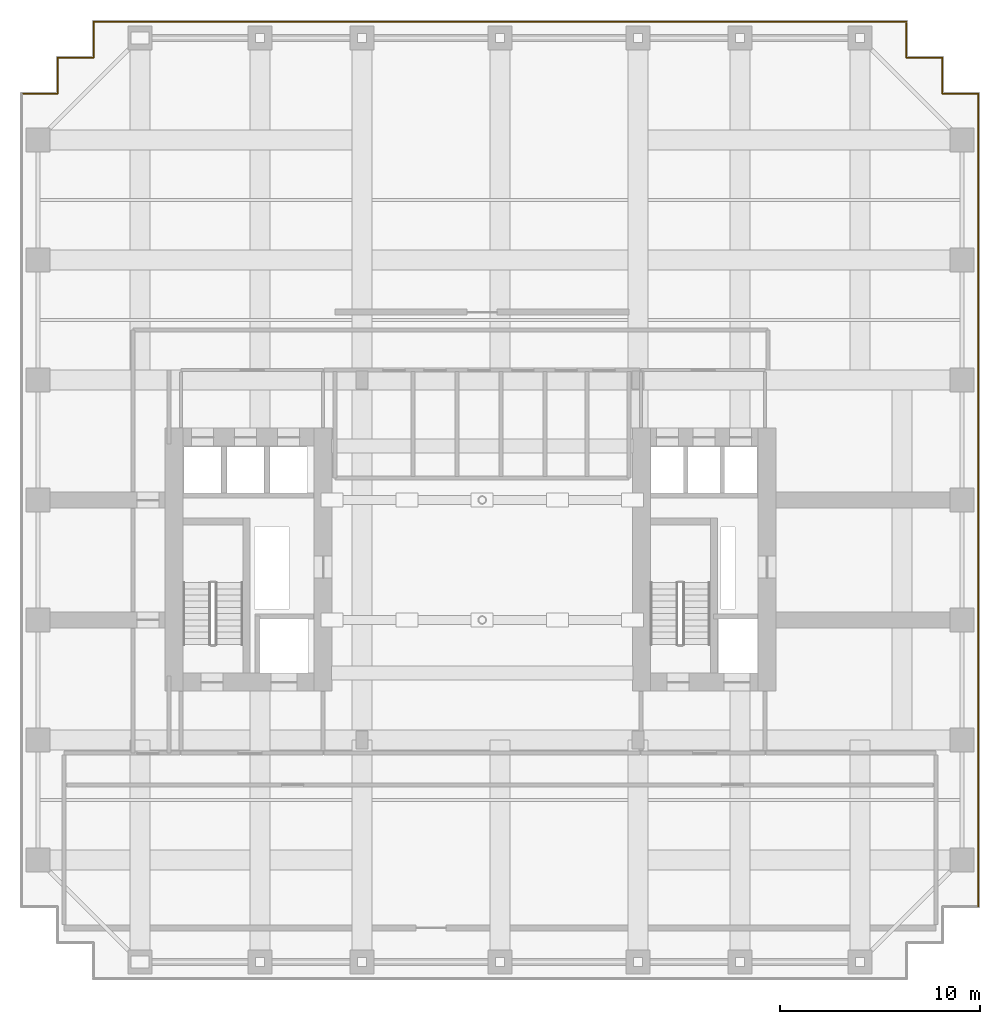
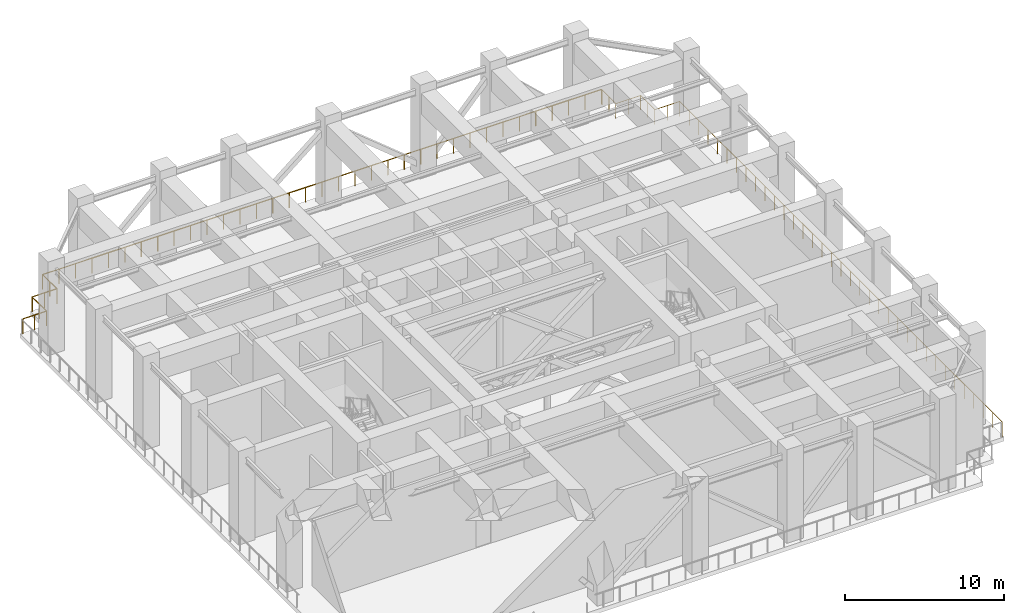
# One storey, part 10 of 10: 2 railings.
"""IFC4 building model written with IfcOpenShell, lengths in metres."""

from ifc_helpers import new_model, si_unit, direction, frame, origin, origin_2d, place, context, subcontext, project, spatial, circle, extrude, material, type_object, element, save


model = new_model("IFC4")

# Units and contexts
model_context = context("Model", 3, precision=1e-05, world=origin(), true_north=direction((0.0, 1.0)))
body_context = subcontext(model_context, "Body", "Model", "MODEL_VIEW")
ifc_project = project(units=[si_unit("LENGTHUNIT", "METRE"), si_unit("AREAUNIT", "SQUARE_METRE"), si_unit("VOLUMEUNIT", "CUBIC_METRE"), si_unit("PLANEANGLEUNIT", "RADIAN"), si_unit("MASSUNIT", "GRAM", prefix="KILO")], contexts=[model_context])

# Site, building, storey
site_placement = place(None, origin())
site = spatial("IfcSite", under=ifc_project, at=site_placement, CompositionType="ELEMENT")
building_placement = place(site_placement, origin())
building = spatial("IfcBuilding", under=site, at=building_placement, Name="Khoralis Quay Care Tower", CompositionType="ELEMENT")
storey_placement = place(building_placement, frame((0.0, 0.0, 76.5)))
storey = spatial("IfcBuildingStorey", under=building, at=storey_placement, Name="L20", CompositionType="ELEMENT", Elevation=76.5)

# Railings
ifc_material = material(Name="Pale anodised aluminium", Category="aluminium")
railing_type = type_object("IfcRailingType", Name="RL-BALUST-1150", PredefinedType="BALUSTRADE", material=ifc_material)
railing_1_placement = place(storey_placement, frame((47.919921875, 3.679931640625, 0.0)))
element("IfcRailing", 1, at=railing_1_placement, inside=storey, type_object=railing_type, Name="L20 Open Wind-Slot Portal Perimeter Guard 1.2", PredefinedType="BALUSTRADE", context=body_context, shape_type="SweptSolid", body=[
    extrude(circle(Radius=0.02392578125, at=origin_2d()), frame((0.0, 0.0, 1.1259765625), z_axis=(0.0, 1.0, 0.0), x_axis=(-1.0, 0.0, 0.0)), (0.0, 0.0, 1.0), 40.64013671875),
    extrude(circle(Radius=0.02392578125, at=origin_2d()), frame((0.0, 40.64013671875, 1.1259765625), z_axis=(-1.0, 0.0, 0.0), x_axis=(0.0, -1.0, 0.0)), (0.0, 0.0, 1.0), 1.7998046875),
    extrude(circle(Radius=0.02392578125, at=origin_2d()), frame((-1.7998046875, 40.64013671875, 1.1259765625), z_axis=(0.0, 1.0, 0.0), x_axis=(-1.0, 0.0, 0.0)), (0.0, 0.0, 1.0), 1.800048828125),
    extrude(circle(Radius=0.02392578125, at=origin_2d()), frame((-1.7998046875, 42.440185546875, 1.1259765625), z_axis=(-1.0, 0.0, 0.0), x_axis=(0.0, -1.0, 0.0)), (0.0, 0.0, 1.0), 1.800048828125),
    extrude(circle(Radius=0.02392578125, at=origin_2d()), frame((-3.599853515625, 42.440185546875, 1.1259765625), z_axis=(0.0, 1.0, 0.0), x_axis=(-1.0, 0.0, 0.0)), (0.0, 0.0, 1.0), 1.719970703125),
    extrude(circle(Radius=0.02099609375, at=origin_2d()), origin(), (0.0, 0.0, 1.0), 1.101806640625),
    extrude(circle(Radius=0.02099609375, at=origin_2d()), frame((0.0, 1.1953125, 0.0)), (0.0, 0.0, 1.0), 1.101806640625),
    extrude(circle(Radius=0.02099609375, at=origin_2d()), frame((0.0, 2.390625, 0.0)), (0.0, 0.0, 1.0), 1.101806640625),
    extrude(circle(Radius=0.02099609375, at=origin_2d()), frame((0.0, 3.5859375, 0.0)), (0.0, 0.0, 1.0), 1.101806640625),
    extrude(circle(Radius=0.02099609375, at=origin_2d()), frame((0.0, 4.78125, 0.0)), (0.0, 0.0, 1.0), 1.101806640625),
    extrude(circle(Radius=0.02099609375, at=origin_2d()), frame((0.0, 5.9765625, 0.0)), (0.0, 0.0, 1.0), 1.101806640625),
    extrude(circle(Radius=0.02099609375, at=origin_2d()), frame((0.0, 7.171875, 0.0)), (0.0, 0.0, 1.0), 1.101806640625),
    extrude(circle(Radius=0.02099609375, at=origin_2d()), frame((0.0, 8.3671875, 0.0)), (0.0, 0.0, 1.0), 1.101806640625),
    extrude(circle(Radius=0.02099609375, at=origin_2d()), frame((0.0, 9.5625, 0.0)), (0.0, 0.0, 1.0), 1.101806640625),
    extrude(circle(Radius=0.02099609375, at=origin_2d()), frame((0.0, 10.757568359375, 0.0)), (0.0, 0.0, 1.0), 1.101806640625),
    extrude(circle(Radius=0.02099609375, at=origin_2d()), frame((0.0, 11.952880859375, 0.0)), (0.0, 0.0, 1.0), 1.101806640625),
    extrude(circle(Radius=0.02099609375, at=origin_2d()), frame((0.0, 13.148193359375, 0.0)), (0.0, 0.0, 1.0), 1.101806640625),
    extrude(circle(Radius=0.02099609375, at=origin_2d()), frame((0.0, 14.343505859375, 0.0)), (0.0, 0.0, 1.0), 1.101806640625),
    extrude(circle(Radius=0.02099609375, at=origin_2d()), frame((0.0, 15.538818359375, 0.0)), (0.0, 0.0, 1.0), 1.101806640625),
    extrude(circle(Radius=0.02099609375, at=origin_2d()), frame((0.0, 16.734130859375, 0.0)), (0.0, 0.0, 1.0), 1.101806640625),
    extrude(circle(Radius=0.02099609375, at=origin_2d()), frame((0.0, 17.929443359375, 0.0)), (0.0, 0.0, 1.0), 1.101806640625),
    extrude(circle(Radius=0.02099609375, at=origin_2d()), frame((0.0, 19.124755859375, 0.0)), (0.0, 0.0, 1.0), 1.101806640625),
    extrude(circle(Radius=0.02099609375, at=origin_2d()), frame((0.0, 20.320068359375, 0.0)), (0.0, 0.0, 1.0), 1.101806640625),
    extrude(circle(Radius=0.02099609375, at=origin_2d()), frame((0.0, 21.515380859375, 0.0)), (0.0, 0.0, 1.0), 1.101806640625),
    extrude(circle(Radius=0.02099609375, at=origin_2d()), frame((0.0, 22.710693359375, 0.0)), (0.0, 0.0, 1.0), 1.101806640625),
    extrude(circle(Radius=0.02099609375, at=origin_2d()), frame((0.0, 23.906005859375, 0.0)), (0.0, 0.0, 1.0), 1.101806640625),
    extrude(circle(Radius=0.02099609375, at=origin_2d()), frame((0.0, 25.101318359375, 0.0)), (0.0, 0.0, 1.0), 1.101806640625),
    extrude(circle(Radius=0.02099609375, at=origin_2d()), frame((0.0, 26.296630859375, 0.0)), (0.0, 0.0, 1.0), 1.101806640625),
    extrude(circle(Radius=0.02099609375, at=origin_2d()), frame((0.0, 27.491943359375, 0.0)), (0.0, 0.0, 1.0), 1.101806640625),
    extrude(circle(Radius=0.02099609375, at=origin_2d()), frame((0.0, 28.687255859375, 0.0)), (0.0, 0.0, 1.0), 1.101806640625),
    extrude(circle(Radius=0.02099609375, at=origin_2d()), frame((0.0, 29.882568359375, 0.0)), (0.0, 0.0, 1.0), 1.101806640625),
    extrude(circle(Radius=0.02099609375, at=origin_2d()), frame((0.0, 31.07763671875, 0.0)), (0.0, 0.0, 1.0), 1.101806640625),
    extrude(circle(Radius=0.02099609375, at=origin_2d()), frame((0.0, 32.27294921875, 0.0)), (0.0, 0.0, 1.0), 1.101806640625),
    extrude(circle(Radius=0.02099609375, at=origin_2d()), frame((0.0, 33.46826171875, 0.0)), (0.0, 0.0, 1.0), 1.101806640625),
    extrude(circle(Radius=0.02099609375, at=origin_2d()), frame((0.0, 34.66357421875, 0.0)), (0.0, 0.0, 1.0), 1.101806640625),
    extrude(circle(Radius=0.02099609375, at=origin_2d()), frame((0.0, 35.85888671875, 0.0)), (0.0, 0.0, 1.0), 1.101806640625),
    extrude(circle(Radius=0.02099609375, at=origin_2d()), frame((0.0, 37.05419921875, 0.0)), (0.0, 0.0, 1.0), 1.101806640625),
    extrude(circle(Radius=0.02099609375, at=origin_2d()), frame((0.0, 38.24951171875, 0.0)), (0.0, 0.0, 1.0), 1.101806640625),
    extrude(circle(Radius=0.02099609375, at=origin_2d()), frame((0.0, 39.44482421875, 0.0)), (0.0, 0.0, 1.0), 1.101806640625),
    extrude(circle(Radius=0.02099609375, at=origin_2d()), frame((0.0, 40.64013671875, 0.0)), (0.0, 0.0, 1.0), 1.101806640625),
    extrude(circle(Radius=0.02099609375, at=origin_2d()), frame((-0.89990234375, 40.64013671875, 0.0)), (0.0, 0.0, 1.0), 1.101806640625),
    extrude(circle(Radius=0.02099609375, at=origin_2d()), frame((-1.7998046875, 40.64013671875, 0.0)), (0.0, 0.0, 1.0), 1.101806640625),
    extrude(circle(Radius=0.02099609375, at=origin_2d()), frame((-1.7998046875, 41.5400390625, 0.0)), (0.0, 0.0, 1.0), 1.101806640625),
    extrude(circle(Radius=0.02099609375, at=origin_2d()), frame((-1.7998046875, 42.440185546875, 0.0)), (0.0, 0.0, 1.0), 1.101806640625),
    extrude(circle(Radius=0.02099609375, at=origin_2d()), frame((-2.69970703125, 42.440185546875, 0.0)), (0.0, 0.0, 1.0), 1.101806640625),
    extrude(circle(Radius=0.02099609375, at=origin_2d()), frame((-3.599853515625, 42.440185546875, 0.0)), (0.0, 0.0, 1.0), 1.101806640625),
    extrude(circle(Radius=0.02099609375, at=origin_2d()), frame((-3.599853515625, 43.30029296875, 0.0)), (0.0, 0.0, 1.0), 1.101806640625),
    extrude(circle(Radius=0.02099609375, at=origin_2d()), frame((-3.599853515625, 44.16015625, 0.0)), (0.0, 0.0, 1.0), 1.101806640625),
])
railing_2_placement = place(storey_placement, frame((44.320068359375, 47.919921875, 0.0)))
element("IfcRailing", 2, at=railing_2_placement, inside=storey, type_object=railing_type, Name="L20 Open Wind-Slot Portal Perimeter Guard 1.3", PredefinedType="BALUSTRADE", context=body_context, shape_type="SweptSolid", body=[
    extrude(circle(Radius=0.02392578125, at=origin_2d()), frame((0.0, 0.0, 1.1259765625), z_axis=(-1.0, 0.0, 0.0), x_axis=(0.0, -1.0, 0.0)), (0.0, 0.0, 1.0), 40.64013671875),
    extrude(circle(Radius=0.02392578125, at=origin_2d()), frame((-40.64013671875, 0.0, 1.1259765625), z_axis=(0.0, -1.0, 0.0), x_axis=(1.0, 0.0, 0.0)), (0.0, 0.0, 1.0), 1.7998046875),
    extrude(circle(Radius=0.02392578125, at=origin_2d()), frame((-40.64013671875, -1.7998046875, 1.1259765625), z_axis=(-1.0, 0.0, 0.0), x_axis=(0.0, -1.0, 0.0)), (0.0, 0.0, 1.0), 1.800048828125),
    extrude(circle(Radius=0.02392578125, at=origin_2d()), frame((-42.440185546875, -1.7998046875, 1.1259765625), z_axis=(0.0, -1.0, 0.0), x_axis=(1.0, 0.0, 0.0)), (0.0, 0.0, 1.0), 1.800048828125),
    extrude(circle(Radius=0.02392578125, at=origin_2d()), frame((-42.440185546875, -3.599853515625, 1.1259765625), z_axis=(-1.0, 0.0, 0.0), x_axis=(0.0, -1.0, 0.0)), (0.0, 0.0, 1.0), 1.719970703125),
    extrude(circle(Radius=0.02099609375, at=origin_2d()), origin(), (0.0, 0.0, 1.0), 1.101806640625),
    extrude(circle(Radius=0.02099609375, at=origin_2d()), frame((-1.1953125, 0.0, 0.0)), (0.0, 0.0, 1.0), 1.101806640625),
    extrude(circle(Radius=0.02099609375, at=origin_2d()), frame((-2.390625, 0.0, 0.0)), (0.0, 0.0, 1.0), 1.101806640625),
    extrude(circle(Radius=0.02099609375, at=origin_2d()), frame((-3.5859375, 0.0, 0.0)), (0.0, 0.0, 1.0), 1.101806640625),
    extrude(circle(Radius=0.02099609375, at=origin_2d()), frame((-4.78125, 0.0, 0.0)), (0.0, 0.0, 1.0), 1.101806640625),
    extrude(circle(Radius=0.02099609375, at=origin_2d()), frame((-5.9765625, 0.0, 0.0)), (0.0, 0.0, 1.0), 1.101806640625),
    extrude(circle(Radius=0.02099609375, at=origin_2d()), frame((-7.171875, 0.0, 0.0)), (0.0, 0.0, 1.0), 1.101806640625),
    extrude(circle(Radius=0.02099609375, at=origin_2d()), frame((-8.3671875, 0.0, 0.0)), (0.0, 0.0, 1.0), 1.101806640625),
    extrude(circle(Radius=0.02099609375, at=origin_2d()), frame((-9.5625, 0.0, 0.0)), (0.0, 0.0, 1.0), 1.101806640625),
    extrude(circle(Radius=0.02099609375, at=origin_2d()), frame((-10.757568359375, 0.0, 0.0)), (0.0, 0.0, 1.0), 1.101806640625),
    extrude(circle(Radius=0.02099609375, at=origin_2d()), frame((-11.952880859375, 0.0, 0.0)), (0.0, 0.0, 1.0), 1.101806640625),
    extrude(circle(Radius=0.02099609375, at=origin_2d()), frame((-13.148193359375, 0.0, 0.0)), (0.0, 0.0, 1.0), 1.101806640625),
    extrude(circle(Radius=0.02099609375, at=origin_2d()), frame((-14.343505859375, 0.0, 0.0)), (0.0, 0.0, 1.0), 1.101806640625),
    extrude(circle(Radius=0.02099609375, at=origin_2d()), frame((-15.538818359375, 0.0, 0.0)), (0.0, 0.0, 1.0), 1.101806640625),
    extrude(circle(Radius=0.02099609375, at=origin_2d()), frame((-16.734130859375, 0.0, 0.0)), (0.0, 0.0, 1.0), 1.101806640625),
    extrude(circle(Radius=0.02099609375, at=origin_2d()), frame((-17.929443359375, 0.0, 0.0)), (0.0, 0.0, 1.0), 1.101806640625),
    extrude(circle(Radius=0.02099609375, at=origin_2d()), frame((-19.124755859375, 0.0, 0.0)), (0.0, 0.0, 1.0), 1.101806640625),
    extrude(circle(Radius=0.02099609375, at=origin_2d()), frame((-20.320068359375, 0.0, 0.0)), (0.0, 0.0, 1.0), 1.101806640625),
    extrude(circle(Radius=0.02099609375, at=origin_2d()), frame((-21.515380859375, 0.0, 0.0)), (0.0, 0.0, 1.0), 1.101806640625),
    extrude(circle(Radius=0.02099609375, at=origin_2d()), frame((-22.710693359375, 0.0, 0.0)), (0.0, 0.0, 1.0), 1.101806640625),
    extrude(circle(Radius=0.02099609375, at=origin_2d()), frame((-23.906005859375, 0.0, 0.0)), (0.0, 0.0, 1.0), 1.101806640625),
    extrude(circle(Radius=0.02099609375, at=origin_2d()), frame((-25.101318359375, 0.0, 0.0)), (0.0, 0.0, 1.0), 1.101806640625),
    extrude(circle(Radius=0.02099609375, at=origin_2d()), frame((-26.296630859375, 0.0, 0.0)), (0.0, 0.0, 1.0), 1.101806640625),
    extrude(circle(Radius=0.02099609375, at=origin_2d()), frame((-27.491943359375, 0.0, 0.0)), (0.0, 0.0, 1.0), 1.101806640625),
    extrude(circle(Radius=0.02099609375, at=origin_2d()), frame((-28.687255859375, 0.0, 0.0)), (0.0, 0.0, 1.0), 1.101806640625),
    extrude(circle(Radius=0.02099609375, at=origin_2d()), frame((-29.882568359375, 0.0, 0.0)), (0.0, 0.0, 1.0), 1.101806640625),
    extrude(circle(Radius=0.02099609375, at=origin_2d()), frame((-31.07763671875, 0.0, 0.0)), (0.0, 0.0, 1.0), 1.101806640625),
    extrude(circle(Radius=0.02099609375, at=origin_2d()), frame((-32.27294921875, 0.0, 0.0)), (0.0, 0.0, 1.0), 1.101806640625),
    extrude(circle(Radius=0.02099609375, at=origin_2d()), frame((-33.46826171875, 0.0, 0.0)), (0.0, 0.0, 1.0), 1.101806640625),
    extrude(circle(Radius=0.02099609375, at=origin_2d()), frame((-34.66357421875, 0.0, 0.0)), (0.0, 0.0, 1.0), 1.101806640625),
    extrude(circle(Radius=0.02099609375, at=origin_2d()), frame((-35.85888671875, 0.0, 0.0)), (0.0, 0.0, 1.0), 1.101806640625),
    extrude(circle(Radius=0.02099609375, at=origin_2d()), frame((-37.05419921875, 0.0, 0.0)), (0.0, 0.0, 1.0), 1.101806640625),
    extrude(circle(Radius=0.02099609375, at=origin_2d()), frame((-38.24951171875, 0.0, 0.0)), (0.0, 0.0, 1.0), 1.101806640625),
    extrude(circle(Radius=0.02099609375, at=origin_2d()), frame((-39.44482421875, 0.0, 0.0)), (0.0, 0.0, 1.0), 1.101806640625),
    extrude(circle(Radius=0.02099609375, at=origin_2d()), frame((-40.64013671875, 0.0, 0.0)), (0.0, 0.0, 1.0), 1.101806640625),
    extrude(circle(Radius=0.02099609375, at=origin_2d()), frame((-40.64013671875, -0.89990234375, 0.0)), (0.0, 0.0, 1.0), 1.101806640625),
    extrude(circle(Radius=0.02099609375, at=origin_2d()), frame((-40.64013671875, -1.7998046875, 0.0)), (0.0, 0.0, 1.0), 1.101806640625),
    extrude(circle(Radius=0.02099609375, at=origin_2d()), frame((-41.5400390625, -1.7998046875, 0.0)), (0.0, 0.0, 1.0), 1.101806640625),
    extrude(circle(Radius=0.02099609375, at=origin_2d()), frame((-42.440185546875, -1.7998046875, 0.0)), (0.0, 0.0, 1.0), 1.101806640625),
    extrude(circle(Radius=0.02099609375, at=origin_2d()), frame((-42.440185546875, -2.69970703125, 0.0)), (0.0, 0.0, 1.0), 1.101806640625),
    extrude(circle(Radius=0.02099609375, at=origin_2d()), frame((-42.440185546875, -3.599853515625, 0.0)), (0.0, 0.0, 1.0), 1.101806640625),
    extrude(circle(Radius=0.02099609375, at=origin_2d()), frame((-43.30029296875, -3.599853515625, 0.0)), (0.0, 0.0, 1.0), 1.101806640625),
    extrude(circle(Radius=0.02099609375, at=origin_2d()), frame((-44.16015625, -3.599853515625, 0.0)), (0.0, 0.0, 1.0), 1.101806640625),
])

save(model, "model.ifc")
